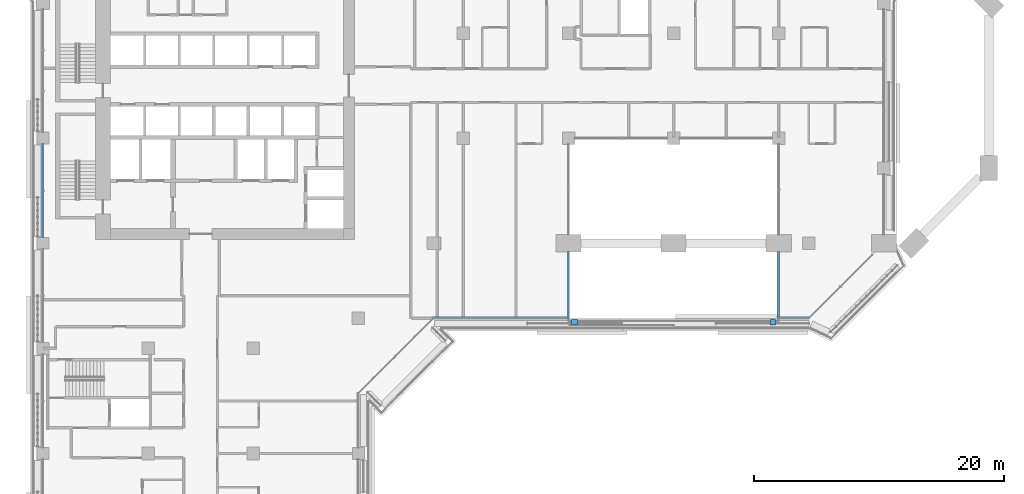
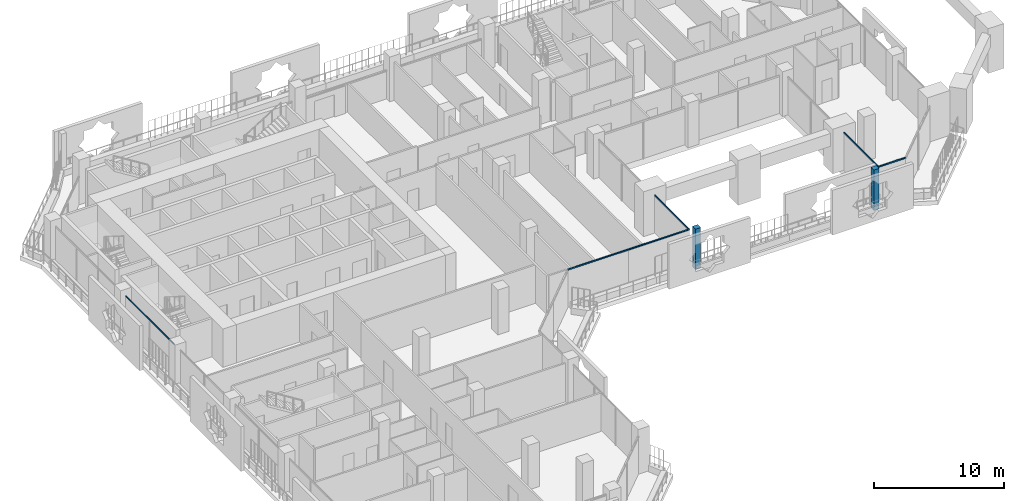
# One storey, part 4 of 24: 8 members, 6 elements without a shape of their own.
"""IFC4 building model written with IfcOpenShell, lengths in metres."""

from ifc_helpers import new_model, si_unit, direction, frame, origin, origin_2d, place, context, subcontext, project, spatial, rectangle, extrude, material, layer, layer_set, material_profile, profile_set, type_object, element, aggregate, save


model = new_model("IFC4")

# Units and contexts
model_context = context("Model", 3, precision=1e-05, world=origin(), true_north=direction((0.0, 1.0)))
body_context = subcontext(model_context, "Body", "Model", "MODEL_VIEW")
ifc_project = project(units=[si_unit("LENGTHUNIT", "METRE"), si_unit("AREAUNIT", "SQUARE_METRE"), si_unit("VOLUMEUNIT", "CUBIC_METRE"), si_unit("PLANEANGLEUNIT", "RADIAN"), si_unit("MASSUNIT", "GRAM", prefix="KILO")], contexts=[model_context])

# Site, building, storey
site_placement = place(None, origin())
site = spatial("IfcSite", under=ifc_project, at=site_placement, CompositionType="ELEMENT")
building_placement = place(site_placement, origin())
building = spatial("IfcBuilding", under=site, at=building_placement, Name="Kawkab Arch Medical Tower", CompositionType="ELEMENT")
storey_placement = place(building_placement, frame((0.0, 0.0, 162.60009765625)))
storey = spatial("IfcBuildingStorey", under=building, at=storey_placement, Name="L37", CompositionType="ELEMENT", Elevation=162.60009765625)

# Curtain wall, members
ifc_material_1 = material(Name="Bronze anodised aluminium curtain wall frame", Category="aluminium")
ifc_layer_1 = layer(ifc_material_1, 0.159912109375)
ifc_layer_set_1 = layer_set([ifc_layer_1], Name="Bronze anodised aluminium curtain wall frame")
curtain_wall_type_1 = type_object("IfcCurtainWallType", Name="CW1 ward curtain wall", PredefinedType="NOTDEFINED", material=ifc_layer_set_1)
placement = place(storey_placement, origin())
curtain_wall_1 = element("IfcCurtainWall", 1, at=placement, inside=storey, type_object=curtain_wall_type_1, Name="CW1 Ward curtain wall R01", PredefinedType="NOTDEFINED")
ifc_material_2 = material(Name="Bronze anodised aluminium curtain wall frame", Category="aluminium")
ifc_material_profile_1 = material_profile(ifc_material_2, rectangle(XDim=0.06005859375, YDim=0.1201171875, at=origin_2d()), Name="AL 60x120")
ifc_profile_set_1 = profile_set([ifc_material_profile_1], Name="Bronze anodised aluminium curtain wall frame")
member_type_1 = type_object("IfcMemberType", Name="CW1 transom 120 x 60", PredefinedType="USERDEFINED", material=ifc_profile_set_1)
member_1_placement = place(storey_placement, frame((31.199951171875, -31.199951171875, 3.539794921875), z_axis=(1.0, 0.0, 0.0), x_axis=(0.0, 1.0, 0.0)))
member_1 = element("IfcMember", 2, at=member_1_placement, type_object=member_type_1, Name="CW1 transom 1", ObjectType="TRANSOM", PredefinedType="USERDEFINED", context=body_context, shape_type="SweptSolid", body=[
    extrude(rectangle(XDim=0.06005859375, YDim=0.1201171875, at=origin_2d()), origin(), (0.0, 0.0, 1.0), 5.400146484375),
])
member_2_placement = place(storey_placement, frame((36.60009765625, -31.199951171875, 3.539794921875), z_axis=(1.0, 0.0, 0.0), x_axis=(0.0, 1.0, 0.0)))
member_2 = element("IfcMember", 3, at=member_2_placement, type_object=member_type_1, Name="CW1 transom 2", ObjectType="TRANSOM", PredefinedType="USERDEFINED", context=body_context, shape_type="SweptSolid", body=[
    extrude(rectangle(XDim=0.06005859375, YDim=0.1201171875, at=origin_2d()), origin(), (0.0, 0.0, 1.0), 5.39990234375),
])
aggregate(curtain_wall_1, [member_1, member_2])

# Curtain wall, member
curtain_wall_2 = element("IfcCurtainWall", 4, at=placement, inside=storey, type_object=curtain_wall_type_1, Name="CW1 Ward curtain wall R05", PredefinedType="NOTDEFINED")
member_3_placement = place(storey_placement, frame((58.800048828125, -31.199951171875, 3.539794921875), z_axis=(1.0, 0.0, 0.0), x_axis=(0.0, 1.0, 0.0)))
member_3 = element("IfcMember", 5, at=member_3_placement, type_object=member_type_1, Name="CW1 transom 1", ObjectType="TRANSOM", PredefinedType="USERDEFINED", context=body_context, shape_type="SweptSolid", body=[
    extrude(rectangle(XDim=0.06005859375, YDim=0.1201171875, at=origin_2d()), origin(), (0.0, 0.0, 1.0), 2.39990234375),
])
aggregate(curtain_wall_2, [member_3])

curtain_wall_3 = element("IfcCurtainWall", 6, at=placement, inside=storey, type_object=curtain_wall_type_1, Name="CW1 Ward curtain wall R11", PredefinedType="NOTDEFINED")
member_4_placement = place(storey_placement, frame((0.0, -17.27490234375, 3.539794921875), z_axis=(0.0, -1.0, 0.0), x_axis=(1.0, 0.0, 0.0)))
member_4 = element("IfcMember", 7, at=member_4_placement, type_object=member_type_1, Name="CW1 transom 2", ObjectType="TRANSOM", PredefinedType="USERDEFINED", context=body_context, shape_type="SweptSolid", body=[
    extrude(rectangle(XDim=0.06005859375, YDim=0.1201171875, at=origin_2d()), origin(), (0.0, 0.0, 1.0), 7.4501953125),
])
aggregate(curtain_wall_3, [member_4])

ifc_material_3 = material(Name="Bronze anodised aluminium curtain wall frame", Category="aluminium")
ifc_layer_2 = layer(ifc_material_3, 0.159912109375)
ifc_layer_set_2 = layer_set([ifc_layer_2], Name="Bronze anodised aluminium curtain wall frame")
curtain_wall_type_2 = type_object("IfcCurtainWallType", Name="CW3 sky garden curtain wall", PredefinedType="NOTDEFINED", material=ifc_layer_set_2)
curtain_wall_4 = element("IfcCurtainWall", 8, at=placement, inside=storey, type_object=curtain_wall_type_2, Name="CW3 Sky garden curtain wall R02", PredefinedType="NOTDEFINED")
ifc_material_4 = material(Name="Bronze anodised aluminium curtain wall frame", Category="aluminium")
ifc_material_profile_2 = material_profile(ifc_material_4, rectangle(XDim=0.070068359375, YDim=0.139892578125, at=origin_2d()), Name="AL 70x140")
ifc_profile_set_2 = profile_set([ifc_material_profile_2], Name="Bronze anodised aluminium curtain wall frame")
member_type_2 = type_object("IfcMemberType", Name="CW3 transom 140 x 70", PredefinedType="USERDEFINED", material=ifc_profile_set_2)
member_5_placement = place(storey_placement, frame((42.0, -31.199951171875, 3.52978515625), z_axis=(0.0, 1.0, 0.0), x_axis=(-1.0, 0.0, 0.0)))
member_5 = element("IfcMember", 9, at=member_5_placement, type_object=member_type_2, Name="CW3 transom 1", ObjectType="TRANSOM", PredefinedType="USERDEFINED", context=body_context, shape_type="SweptSolid", body=[
    extrude(rectangle(XDim=0.070068359375, YDim=0.139892578125, at=origin_2d()), origin(), (0.0, 0.0, 1.0), 5.300048828125),
])
aggregate(curtain_wall_4, [member_5])

curtain_wall_5 = element("IfcCurtainWall", 10, at=placement, inside=storey, type_object=curtain_wall_type_2, Name="CW3 Sky garden curtain wall R04", PredefinedType="NOTDEFINED")
member_6_placement = place(storey_placement, frame((58.800048828125, -25.89990234375, 3.52978515625), z_axis=(0.0, -1.0, 0.0), x_axis=(1.0, 0.0, 0.0)))
member_6 = element("IfcMember", 11, at=member_6_placement, type_object=member_type_2, Name="CW3 transom 2", ObjectType="TRANSOM", PredefinedType="USERDEFINED", context=body_context, shape_type="SweptSolid", body=[
    extrude(rectangle(XDim=0.070068359375, YDim=0.139892578125, at=origin_2d()), origin(), (0.0, 0.0, 1.0), 5.300048828125),
])
aggregate(curtain_wall_5, [member_6])

# Curtain wall, members
ifc_material_5 = material(Name="Bronze anodised aluminium climber frame, planted", Category="aluminium")
ifc_layer_3 = layer(ifc_material_5, 0.449951171875)
ifc_layer_set_3 = layer_set([ifc_layer_3], Name="Bronze anodised aluminium climber frame, planted")
curtain_wall_type_3 = type_object("IfcCurtainWallType", Name="Planted climber frame", PredefinedType="NOTDEFINED", material=ifc_layer_set_3)
curtain_wall_6 = element("IfcCurtainWall", 12, at=placement, inside=storey, type_object=curtain_wall_type_3, Name="Planted climber frame L37", PredefinedType="NOTDEFINED")
ifc_material_6 = material(Name="Bronze anodised aluminium climber frame, planted", Category="aluminium")
ifc_material_profile_3 = material_profile(ifc_material_6, rectangle(XDim=0.449951171875, YDim=0.449951171875, at=origin_2d()), Name="Post 450x450")
ifc_profile_set_3 = profile_set([ifc_material_profile_3], Name="Bronze anodised aluminium climber frame, planted")
member_type_3 = type_object("IfcMemberType", Name="Planted climber post 450 x 450", PredefinedType="MULLION", material=ifc_profile_set_3)
member_7_placement = place(storey_placement, frame((42.47998046875, -31.5, 0.0), z_axis=(0.0, 0.0, 1.0), x_axis=(1.0, 0.0, 0.0)))
member_7 = element("IfcMember", 13, at=member_7_placement, type_object=member_type_3, Name="Planted climber post L37.LOG-01-01.1", PredefinedType="MULLION", context=body_context, shape_type="SweptSolid", body=[
    extrude(rectangle(XDim=0.449951171875, YDim=0.449951171875, at=origin_2d()), origin(), (0.0, 0.0, 1.0), 3.7998046875),
])
member_8_placement = place(storey_placement, frame((58.320068359375, -31.5, 0.0), z_axis=(0.0, 0.0, 1.0), x_axis=(1.0, 0.0, 0.0)))
member_8 = element("IfcMember", 14, at=member_8_placement, type_object=member_type_3, Name="Planted climber post L37.LOG-01-01.2", PredefinedType="MULLION", context=body_context, shape_type="SweptSolid", body=[
    extrude(rectangle(XDim=0.449951171875, YDim=0.449951171875, at=origin_2d()), origin(), (0.0, 0.0, 1.0), 3.7998046875),
])
aggregate(curtain_wall_6, [member_7, member_8])

save(model, "model.ifc")
